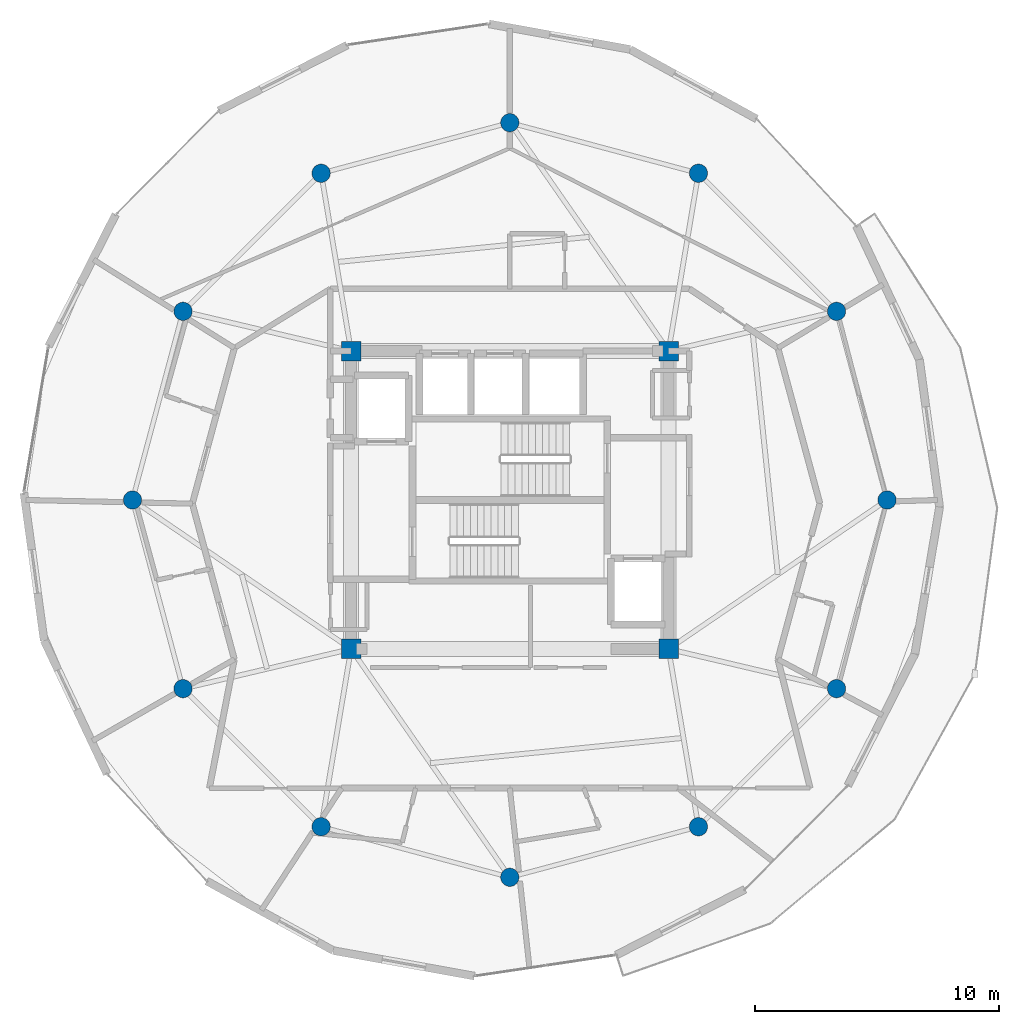
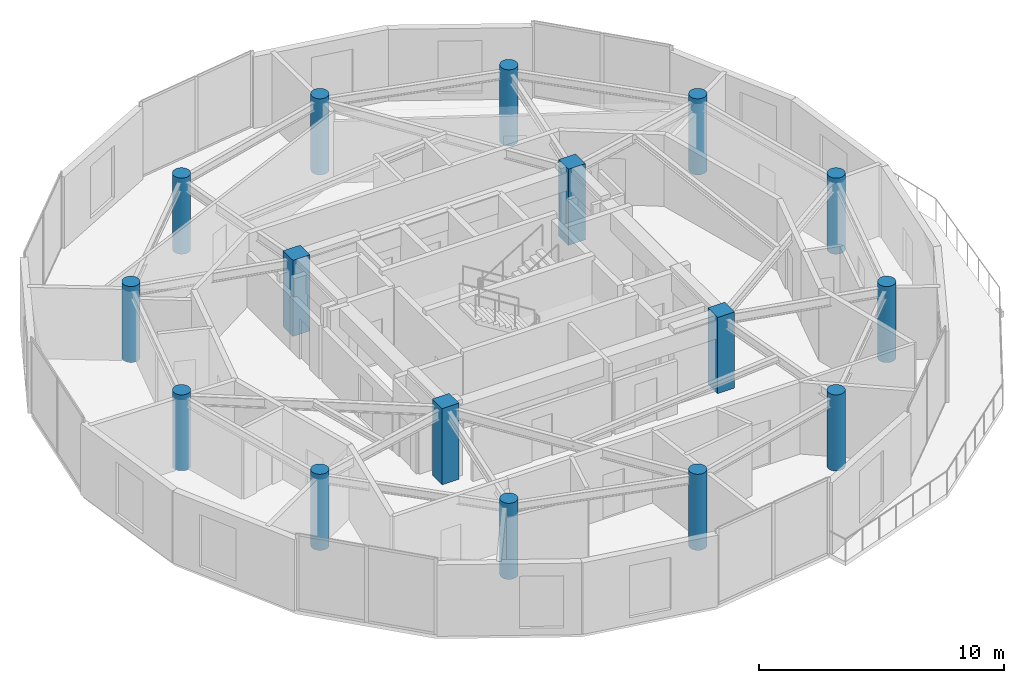
# One storey, part 1 of 23: 16 columns.
"""IFC4 building model written with IfcOpenShell, lengths in metres."""

from ifc_helpers import new_model, si_unit, direction, frame, origin, origin_2d, place, context, subcontext, project, spatial, rectangle, circle, extrude, material, material_profile, profile_set, type_object, element, save


model = new_model("IFC4")

# Units and contexts
model_context = context("Model", 3, precision=1e-05, world=origin(), true_north=direction((0.0, 1.0)))
body_context = subcontext(model_context, "Body", "Model", "MODEL_VIEW")
ifc_project = project(units=[si_unit("LENGTHUNIT", "METRE"), si_unit("AREAUNIT", "SQUARE_METRE"), si_unit("VOLUMEUNIT", "CUBIC_METRE"), si_unit("PLANEANGLEUNIT", "RADIAN"), si_unit("MASSUNIT", "GRAM", prefix="KILO")], contexts=[model_context])

# Site, building, storey
site_placement = place(None, origin())
site = spatial("IfcSite", under=ifc_project, at=site_placement, CompositionType="ELEMENT")
building_placement = place(site_placement, origin())
building = spatial("IfcBuilding", under=site, at=building_placement, Name="Solvirekh Grand Hotel", CompositionType="ELEMENT")
storey_placement = place(building_placement, frame((0.0, 0.0, 282.0)))
storey = spatial("IfcBuildingStorey", under=building, at=storey_placement, Name="L73", CompositionType="ELEMENT", Elevation=282.0)

# Columns
ifc_material = material(Name="Concrete C50/60", Category="concrete")
ifc_material_profile_1 = material_profile(ifc_material, rectangle(XDim=0.800048828125, YDim=0.800048828125, at=origin_2d()), Name="RC 800X800")
ifc_profile_set_1 = profile_set([ifc_material_profile_1], Name="Concrete C50/60")
column_type_1 = type_object("IfcColumnType", Name="Col_Core_800", PredefinedType="COLUMN", material=ifc_profile_set_1)
for number, where, z_axis, x_axis, name in (
    (1, (-6.5, -6.10009765625, 0.0), (0.0, 0.0, 1.0), (1.0, 0.0, 0.0), "L73 core corner column CC1"),
    (2, (6.5, -6.10009765625, 0.0), (0.0, 0.0, 1.0), (1.0, 0.0, 0.0), "L73 core corner column CC2"),
    (3, (6.5, 6.10009765625, 0.0), (0.0, 0.0, 1.0), (1.0, 0.0, 0.0), "L73 core corner column CC3"),
    (4, (-6.5, 6.10009765625, 0.0), (0.0, 0.0, 1.0), (1.0, 0.0, 0.0), "L73 core corner column CC4"),
):
    element("IfcColumn", number, at=place(storey_placement, frame(where, z_axis=z_axis, x_axis=x_axis)), inside=storey, type_object=column_type_1, Name=name, PredefinedType="COLUMN", context=body_context, shape_type="SweptSolid", body=[
        extrude(rectangle(XDim=0.800048828125, YDim=0.800048828125, at=origin_2d()), origin(), (0.0, 0.0, 1.0), 3.800048828125),
    ])
ifc_material_profile_2 = material_profile(ifc_material, circle(Radius=0.375, at=origin_2d()), Name="RC CIRC D750")
ifc_profile_set_2 = profile_set([ifc_material_profile_2], Name="Concrete C50/60")
column_type_2 = type_object("IfcColumnType", Name="Col_Z4_D750", PredefinedType="COLUMN", material=ifc_profile_set_2)
for number, where, z_axis, x_axis, name in (
    (5, (15.449951171875, 0.0, 0.0), (0.0, 0.0, 1.0), (1.0, 0.0, 0.0), "L73 perimeter column P01"),
    (6, (13.3798828125, 7.72509765625, 0.0), (0.0, 0.0, 1.0), (1.0, 0.0, 0.0), "L73 perimeter column P02"),
    (7, (7.72509765625, 13.3798828125, 0.0), (0.0, 0.0, 1.0), (1.0, 0.0, 0.0), "L73 perimeter column P03"),
    (8, (0.0, 15.449951171875, 0.0), (0.0, 0.0, 1.0), (1.0, 0.0, 0.0), "L73 perimeter column P04"),
    (9, (-7.72509765625, 13.3798828125, 0.0), (0.0, 0.0, 1.0), (1.0, 0.0, 0.0), "L73 perimeter column P05"),
    (10, (-13.3798828125, 7.72509765625, 0.0), (0.0, 0.0, 1.0), (1.0, 0.0, 0.0), "L73 perimeter column P06"),
    (11, (-15.449951171875, 0.0, 0.0), (0.0, 0.0, 1.0), (1.0, 0.0, 0.0), "L73 perimeter column P07"),
    (12, (-13.3798828125, -7.72509765625, 0.0), (0.0, 0.0, 1.0), (1.0, 0.0, 0.0), "L73 perimeter column P08"),
    (13, (-7.72509765625, -13.3798828125, 0.0), (0.0, 0.0, 1.0), (1.0, 0.0, 0.0), "L73 perimeter column P09"),
    (14, (0.0, -15.449951171875, 0.0), (0.0, 0.0, 1.0), (1.0, 0.0, 0.0), "L73 perimeter column P10"),
    (15, (7.72509765625, -13.3798828125, 0.0), (0.0, 0.0, 1.0), (1.0, 0.0, 0.0), "L73 perimeter column P11"),
    (16, (13.3798828125, -7.72509765625, 0.0), (0.0, 0.0, 1.0), (1.0, 0.0, 0.0), "L73 perimeter column P12"),
):
    element("IfcColumn", number, at=place(storey_placement, frame(where, z_axis=z_axis, x_axis=x_axis)), inside=storey, type_object=column_type_2, Name=name, PredefinedType="COLUMN", context=body_context, shape_type="SweptSolid", body=[
        extrude(circle(Radius=0.375, at=origin_2d()), origin(), (0.0, 0.0, 1.0), 3.800048828125),
    ])

save(model, "model.ifc")
